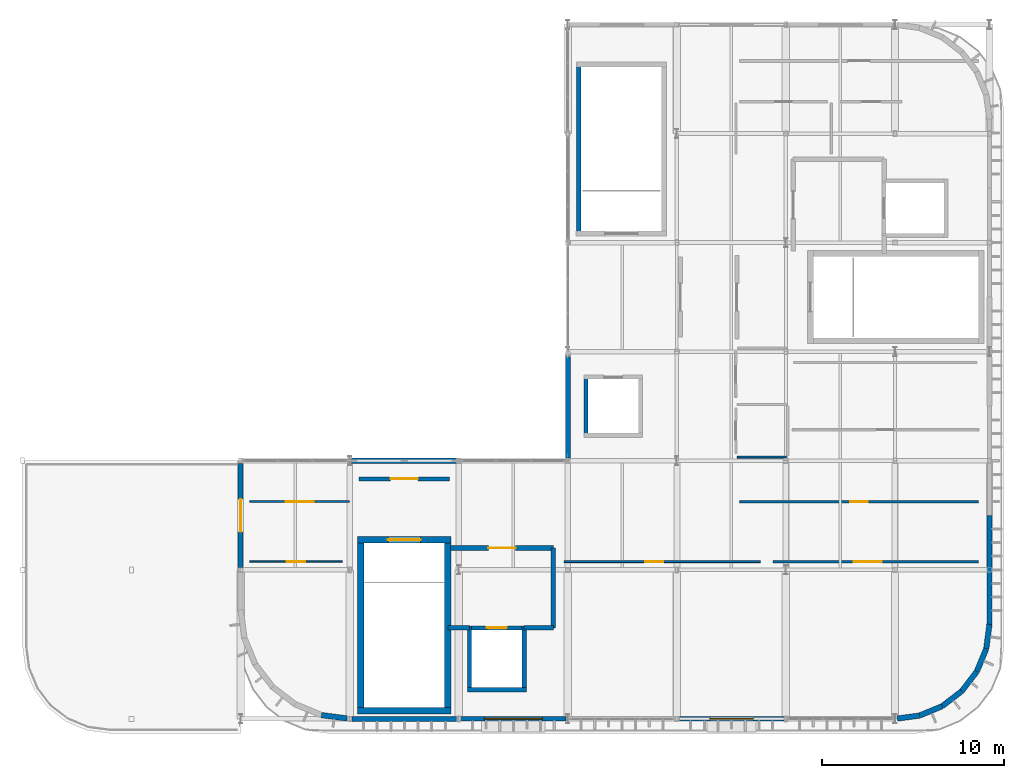
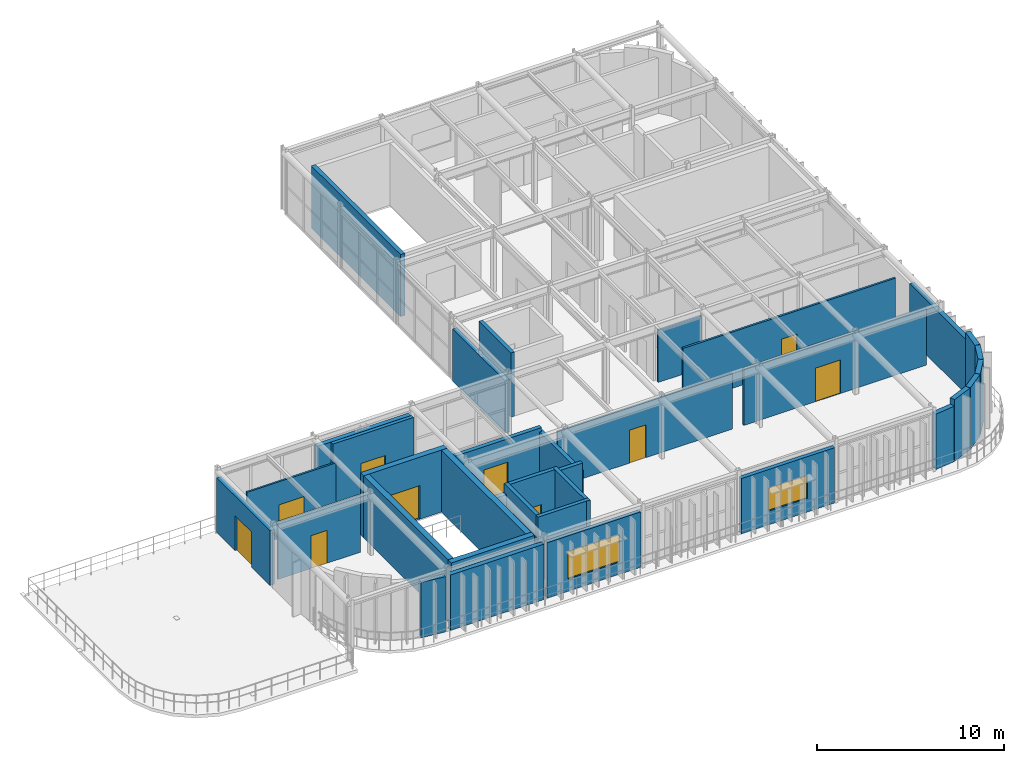
# One storey, part 8 of 14: 35 walls, 10 doors, 2 windows, 12 openings.
"""IFC4 building model written with IfcOpenShell, lengths in metres."""

from ifc_helpers import new_model, si_unit, direction, frame, frame_2d, origin, place, context, subcontext, project, spatial, rectangle, extrude, material, layer, layer_set, type_object, element, fill, save


model = new_model("IFC4")

# Units and contexts
model_context = context("Model", 3, precision=1e-05, world=origin(), true_north=direction((0.0, 1.0)))
body_context = subcontext(model_context, "Body", "Model", "MODEL_VIEW")
ifc_project = project(units=[si_unit("LENGTHUNIT", "METRE"), si_unit("AREAUNIT", "SQUARE_METRE"), si_unit("VOLUMEUNIT", "CUBIC_METRE"), si_unit("PLANEANGLEUNIT", "RADIAN"), si_unit("MASSUNIT", "GRAM", prefix="KILO")], contexts=[model_context])

# Site, building, storey
site_placement = place(None, origin())
site = spatial("IfcSite", under=ifc_project, at=site_placement, CompositionType="ELEMENT")
building_placement = place(site_placement, origin())
building = spatial("IfcBuilding", under=site, at=building_placement, Name="Varnakota Square Police Headquarters", CompositionType="ELEMENT")
storey_placement = place(building_placement, frame((0.0, 0.0, 30.0)))
storey = spatial("IfcBuildingStorey", under=building, at=storey_placement, Name="L07", CompositionType="ELEMENT", Elevation=30.0)

# Walls
ifc_material_1 = material(Name="Concrete M40", Category="concrete")
ifc_layer_1 = layer(ifc_material_1, 0.22998046875, Name="Concrete M40")
ifc_layer_set_1 = layer_set([ifc_layer_1], Name="Concrete M40")
wall_type_1 = type_object("IfcWallType", Name="WL-CORE-230", PredefinedType="SHEAR", material=ifc_layer_set_1)
wall_1_placement = place(storey_placement, frame((132.485107421875, 2.39990234375, 0.0), z_axis=(0.0, 0.0, 1.0), x_axis=(1.0, 0.0, 0.0)))
element("IfcWall", 1, at=wall_1_placement, inside=storey, type_object=wall_type_1, Name="Lift shaft wall LF-FF1 L07 S", PredefinedType="SHEAR", context=body_context, shape_type="SweptSolid", body=[
    extrude(rectangle(XDim=3.22998046875, YDim=0.22998046875, at=frame_2d((1.614990234375, 0.0))), origin(), (0.0, 0.0, 1.0), 4.199951171875),
])
wall_2_placement = place(storey_placement, frame((135.60009765625, 2.284912109375, 0.0), z_axis=(0.0, 0.0, 1.0), x_axis=(0.0, 1.0, 0.0)))
element("IfcWall", 2, at=wall_2_placement, inside=storey, type_object=wall_type_1, Name="Lift shaft wall LF-FF1 L07 E", PredefinedType="SHEAR", context=body_context, shape_type="SweptSolid", body=[
    extrude(rectangle(XDim=3.630126953125, YDim=0.22998046875, at=frame_2d((1.81494140625, 0.0))), origin(), (0.0, 0.0, 1.0), 4.199951171875),
])

# Wall, opening, door
wall_3_placement = place(storey_placement, frame((135.715087890625, 5.800048828125, 0.0), z_axis=(0.0, 0.0, 1.0), x_axis=(-1.0, 0.0, 0.0)))
wall_3 = element("IfcWall", 3, at=wall_3_placement, inside=storey, type_object=wall_type_1, Name="Lift shaft wall LF-FF1 L07 N", PredefinedType="SHEAR", context=body_context, shape_type="SweptSolid", body=[
    extrude(rectangle(XDim=3.22998046875, YDim=0.22998046875, at=frame_2d((1.614990234375, 0.0))), origin(), (0.0, 0.0, 1.0), 4.199951171875),
])
opening_1_placement = place(wall_3_placement, frame((1.06494140625, 0.0, 0.0)))
opening_1 = element("IfcOpeningElement", 4, at=opening_1_placement, cuts=wall_3, Name="Opening LD008", PredefinedType="OPENING", context=body_context, shape_type="SweptSolid", body=[
    extrude(rectangle(XDim=1.10009765625, YDim=2.199951171875, at=frame_2d((0.550048828125, 1.10009765625))), frame((0.0, 0.125, 0.0), z_axis=(0.0, -1.0, 0.0), x_axis=(1.0, 0.0, 0.0)), (0.0, 0.0, 1.0), 0.25),
])
ifc_material_2 = material(Name="Brushed Grade 316 Stainless Steel", Category="steel")
door_type_1 = type_object("IfcDoorType", Name="DR-LD-FF", OperationType="NOTDEFINED", PredefinedType="DOOR", material=ifc_material_2)
door_1_placement = place(opening_1_placement, origin())
door_1 = element("IfcDoor", 5, at=door_1_placement, inside=storey, type_object=door_type_1, Name="Lift sliding landing door LD008", OperationType="SLIDING_TO_LEFT", OverallHeight=2.199951171875, OverallWidth=1.10009765625, PredefinedType="DOOR", context=body_context, shape_type="SweptSolid", body=[
    extrude(rectangle(XDim=1.10009765625, YDim=2.199951171875, at=frame_2d((0.550048828125, 1.10009765625))), frame((0.0, 0.02490234375, 0.0), z_axis=(0.0, -1.0, 0.0), x_axis=(1.0, 0.0, 0.0)), (0.0, 0.0, 1.0), 0.050048828125),
])
fill(opening_1, door_1)

# Walls
wall_4_placement = place(storey_placement, frame((132.60009765625, 5.9150390625, 0.0), z_axis=(0.0, 0.0, 1.0), x_axis=(0.0, -1.0, 0.0)))
element("IfcWall", 6, at=wall_4_placement, inside=storey, type_object=wall_type_1, Name="Lift shaft wall LF-FF1 L07 W", PredefinedType="SHEAR", context=body_context, shape_type="SweptSolid", body=[
    extrude(rectangle(XDim=3.630126953125, YDim=0.22998046875, at=frame_2d((1.81494140625, 0.0))), origin(), (0.0, 0.0, 1.0), 4.199951171875),
])
wall_5_placement = place(storey_placement, frame((139.0, 19.715087890625, 0.0), z_axis=(0.0, 0.0, 1.0), x_axis=(0.0, -1.0, 0.0)))
element("IfcWall", 7, at=wall_5_placement, inside=storey, type_object=wall_type_1, Name="Lift shaft wall LF-P1 L07 W", PredefinedType="SHEAR", context=body_context, shape_type="SweptSolid", body=[
    extrude(rectangle(XDim=3.43017578125, YDim=0.22998046875, at=frame_2d((1.715087890625, 0.0))), origin(), (0.0, 0.0, 1.0), 4.199951171875),
])
ifc_material_3 = material(Name="Concrete M50", Category="concrete")
ifc_layer_2 = layer(ifc_material_3, 0.27001953125, Name="Concrete M50")
ifc_layer_set_2 = layer_set([ifc_layer_2], Name="Concrete M50")
wall_type_2 = type_object("IfcWallType", Name="WL-CORE-270", PredefinedType="SHEAR", material=ifc_layer_set_2)
wall_6_placement = place(storey_placement, frame((138.60009765625, 36.93505859375, 0.0), z_axis=(0.0, 0.0, 1.0), x_axis=(0.0, -1.0, 0.0)))
element("IfcWall", 8, at=wall_6_placement, inside=storey, type_object=wall_type_2, Name="Core C3 shear wall L07 W", PredefinedType="SHEAR", context=body_context, shape_type="SweptSolid", body=[
    extrude(rectangle(XDim=9.570068359375, YDim=0.27001953125, at=frame_2d((4.78515625, 0.0))), origin(), (0.0, 0.0, 1.0), 4.06005859375),
])
ifc_layer_3 = layer(ifc_material_3, 0.35009765625, Name="Concrete M50")
ifc_layer_set_3 = layer_set([ifc_layer_3], Name="Concrete M50")
wall_type_3 = type_object("IfcWallType", Name="WL-CORE-350", PredefinedType="SHEAR", material=ifc_layer_set_3)
wall_7_placement = place(storey_placement, frame((126.425048828125, 1.25, 0.0), z_axis=(0.0, 0.0, 1.0), x_axis=(1.0, 0.0, 0.0)))
element("IfcWall", 9, at=wall_7_placement, inside=storey, type_object=wall_type_3, Name="Core C1 shear wall L07 S", PredefinedType="SHEAR", context=body_context, shape_type="SweptSolid", body=[
    extrude(rectangle(XDim=5.14990234375, YDim=0.35009765625, at=frame_2d((2.574951171875, 0.0))), origin(), (0.0, 0.0, 1.0), 4.06005859375),
])
wall_8_placement = place(storey_placement, frame((131.39990234375, 1.074951171875, 0.0), z_axis=(0.0, 0.0, 1.0), x_axis=(0.0, 1.0, 0.0)))
element("IfcWall", 10, at=wall_8_placement, inside=storey, type_object=wall_type_3, Name="Core C1 shear wall L07 E", PredefinedType="SHEAR", context=body_context, shape_type="SweptSolid", body=[
    extrude(rectangle(XDim=9.75, YDim=0.35009765625, at=frame_2d((4.875, 0.0))), origin(), (0.0, 0.0, 1.0), 4.06005859375),
])

# Wall, opening, door
wall_9_placement = place(storey_placement, frame((131.574951171875, 10.64990234375, 0.0), z_axis=(0.0, 0.0, 1.0), x_axis=(-1.0, 0.0, 0.0)))
wall_9 = element("IfcWall", 11, at=wall_9_placement, inside=storey, type_object=wall_type_3, Name="Core C1 shear wall L07 N", PredefinedType="SHEAR", context=body_context, shape_type="SweptSolid", body=[
    extrude(rectangle(XDim=5.14990234375, YDim=0.35009765625, at=frame_2d((2.574951171875, 0.0))), origin(), (0.0, 0.0, 1.0), 4.06005859375),
])
opening_2_placement = place(wall_9_placement, frame((1.675048828125, 0.0, 0.0)))
opening_2 = element("IfcOpeningElement", 12, at=opening_2_placement, cuts=wall_9, Name="Opening SD008", PredefinedType="OPENING", context=body_context, shape_type="SweptSolid", body=[
    extrude(rectangle(XDim=1.800048828125, YDim=2.199951171875, at=frame_2d((0.89990234375, 1.10009765625))), frame((0.0, 0.18505859375, 0.0), z_axis=(0.0, -1.0, 0.0), x_axis=(1.0, 0.0, 0.0)), (0.0, 0.0, 1.0), 0.3701171875),
])
ifc_material_4 = material(Name="Powder-Coated Galvanised Steel", Category="steel")
door_type_2 = type_object("IfcDoorType", Name="DR-ST-180", OperationType="NOTDEFINED", PredefinedType="DOOR", material=ifc_material_4)
door_2_placement = place(opening_2_placement, origin())
door_2 = element("IfcDoor", 13, at=door_2_placement, inside=storey, type_object=door_type_2, Name="Protected stair door SD008", OperationType="DOUBLE_DOOR_SINGLE_SWING", OverallHeight=2.199951171875, OverallWidth=1.800048828125, PredefinedType="DOOR", context=body_context, shape_type="SweptSolid", body=[
    extrude(rectangle(XDim=1.800048828125, YDim=2.199951171875, at=frame_2d((0.89990234375, 1.10009765625))), frame((0.0, 0.02490234375, 0.0), z_axis=(0.0, -1.0, 0.0), x_axis=(1.0, 0.0, 0.0)), (0.0, 0.0, 1.0), 0.050048828125),
])
fill(opening_2, door_2)

# Wall
wall_10_placement = place(storey_placement, frame((126.60009765625, 10.824951171875, 0.0), z_axis=(0.0, 0.0, 1.0), x_axis=(0.0, -1.0, 0.0)))
element("IfcWall", 14, at=wall_10_placement, inside=storey, type_object=wall_type_3, Name="Core C1 shear wall L07 W", PredefinedType="SHEAR", context=body_context, shape_type="SweptSolid", body=[
    extrude(rectangle(XDim=9.75, YDim=0.35009765625, at=frame_2d((4.875, 0.0))), origin(), (0.0, 0.0, 1.0), 4.06005859375),
])

# Wall, opening, window
ifc_layer_4 = layer(ifc_material_1, 0.239990234375, Name="Concrete M40")
ifc_layer_set_4 = layer_set([ifc_layer_4], Name="Concrete M40")
wall_type_4 = type_object("IfcWallType", Name="WL-EXT-240", PredefinedType="SOLIDWALL", material=ifc_layer_set_4)
wall_11_placement = place(storey_placement, frame((132.10400390625, 0.800048828125, 0.0), z_axis=(0.0, 0.0, 1.0), x_axis=(1.0, 0.0, 0.0)))
wall_11 = element("IfcWall", 15, at=wall_11_placement, inside=storey, type_object=wall_type_4, Name="Exterior wall EW-L07-0351", PredefinedType="SOLIDWALL", context=body_context, shape_type="SweptSolid", body=[
    extrude(rectangle(XDim=5.802001953125, YDim=0.239990234375, at=frame_2d((2.90087890625, 0.0))), origin(), (0.0, 0.0, 1.0), 3.62353515625),
])
opening_3_placement = place(wall_11_placement, frame((1.301025390625, 0.0, 0.800048828125)))
opening_3 = element("IfcOpeningElement", 16, at=opening_3_placement, cuts=wall_11, Name="Opening W15", PredefinedType="OPENING", context=body_context, shape_type="SweptSolid", body=[
    extrude(rectangle(XDim=3.199951171875, YDim=1.800048828125, at=frame_2d((1.60009765625, 0.89990234375))), frame((0.0, 0.1298828125, 0.0), z_axis=(0.0, -1.0, 0.0), x_axis=(1.0, 0.0, 0.0)), (0.0, 0.0, 1.0), 0.260009765625),
])
ifc_material_5 = material(Name="Thermally Broken Aluminium Double-Glazed Window", Category="aluminium")
window_type_1 = type_object("IfcWindowType", Name="WIN-15", PartitioningType="SINGLE_PANEL", PredefinedType="WINDOW", material=ifc_material_5)
window_1_placement = place(opening_3_placement, origin())
window_1 = element("IfcWindow", 17, at=window_1_placement, inside=storey, type_object=window_type_1, Name="Window WN-L07-0060", OverallHeight=1.800048828125, OverallWidth=3.199951171875, PartitioningType="SINGLE_PANEL", PredefinedType="WINDOW", context=body_context, shape_type="SweptSolid", body=[
    extrude(rectangle(XDim=3.199951171875, YDim=1.800048828125, at=frame_2d((1.60009765625, 0.89990234375))), frame((0.0, 0.030029296875, 0.0), z_axis=(0.0, -1.0, 0.0), x_axis=(1.0, 0.0, 0.0)), (0.0, 0.0, 1.0), 0.06005859375),
])
fill(opening_3, window_1)

wall_12_placement = place(storey_placement, frame((144.12890625, 0.800048828125, 0.0), z_axis=(0.0, 0.0, 1.0), x_axis=(1.0, 0.0, 0.0)))
wall_12 = element("IfcWall", 18, at=wall_12_placement, inside=storey, type_object=wall_type_4, Name="Exterior wall EW-L07-0352", PredefinedType="SOLIDWALL", context=body_context, shape_type="SweptSolid", body=[
    extrude(rectangle(XDim=5.76708984375, YDim=0.239990234375, at=frame_2d((2.883544921875, 0.0))), origin(), (0.0, 0.0, 1.0), 3.62353515625),
])
opening_4_placement = place(wall_12_placement, frame((1.68359375, 0.0, 0.89990234375)))
opening_4 = element("IfcOpeningElement", 19, at=opening_4_placement, cuts=wall_12, Name="Opening W02", PredefinedType="OPENING", context=body_context, shape_type="SweptSolid", body=[
    extrude(rectangle(XDim=2.39990234375, YDim=1.5, at=frame_2d((1.199951171875, 0.75))), frame((0.0, 0.1298828125, 0.0), z_axis=(0.0, -1.0, 0.0), x_axis=(1.0, 0.0, 0.0)), (0.0, 0.0, 1.0), 0.260009765625),
])
window_type_2 = type_object("IfcWindowType", Name="WIN-02", PartitioningType="SINGLE_PANEL", PredefinedType="WINDOW", material=ifc_material_5)
window_2_placement = place(opening_4_placement, origin())
window_2 = element("IfcWindow", 20, at=window_2_placement, inside=storey, type_object=window_type_2, Name="Window WN-L07-0061", OverallHeight=1.5, OverallWidth=2.39990234375, PartitioningType="SINGLE_PANEL", PredefinedType="WINDOW", context=body_context, shape_type="SweptSolid", body=[
    extrude(rectangle(XDim=2.39990234375, YDim=1.5, at=frame_2d((1.199951171875, 0.75))), frame((0.0, 0.030029296875, 0.0), z_axis=(0.0, -1.0, 0.0), x_axis=(1.0, 0.0, 0.0)), (0.0, 0.0, 1.0), 0.06005859375),
])
fill(opening_4, window_2)

# Walls
ifc_layer_5 = layer(ifc_material_1, 0.280029296875, Name="Concrete M40")
ifc_layer_set_5 = layer_set([ifc_layer_5], Name="Concrete M40")
wall_type_5 = type_object("IfcWallType", Name="WL-EXT-280", PredefinedType="SOLIDWALL", material=ifc_layer_set_5)
wall_13_placement = place(storey_placement, frame((126.12890625, 0.800048828125, 0.0), z_axis=(0.0, 0.0, 1.0), x_axis=(1.0, 0.0, 0.0)))
element("IfcWall", 21, at=wall_13_placement, inside=storey, type_object=wall_type_5, Name="Exterior wall EW-L07-0350", PredefinedType="SOLIDWALL", context=body_context, shape_type="SweptSolid", body=[
    extrude(rectangle(XDim=5.76708984375, YDim=0.280029296875, at=frame_2d((2.883544921875, 0.0))), origin(), (0.0, 0.0, 1.0), 3.62353515625),
])
wall_14_placement = place(storey_placement, frame((161.199951171875, 6.0, 0.0), z_axis=(0.0, 0.0, 1.0), x_axis=(0.0, 1.0, 0.0)))
element("IfcWall", 22, at=wall_14_placement, inside=storey, type_object=wall_type_5, Name="Exterior wall EW-L07-0353", PredefinedType="SOLIDWALL", context=body_context, shape_type="SweptSolid", body=[
    extrude(rectangle(XDim=6.0, YDim=0.280029296875, at=frame_2d((3.0, 0.0))), origin(), (0.0, 0.0, 1.0), 3.580078125),
])
wall_15_placement = place(storey_placement, frame((126.093994140625, 15.0, 0.0), z_axis=(0.0, 0.0, 1.0), x_axis=(1.0, 0.0, 0.0)))
element("IfcWall", 23, at=wall_15_placement, inside=storey, type_object=wall_type_5, Name="Exterior wall EW-L07-0358", PredefinedType="SOLIDWALL", context=body_context, shape_type="SweptSolid", body=[
    extrude(rectangle(XDim=5.777099609375, YDim=0.280029296875, at=frame_2d((2.888671875, 0.0))), origin(), (0.0, 0.0, 1.0), 3.429931640625),
])
wall_16_placement = place(storey_placement, frame((138.0, 15.154052734375, 0.0), z_axis=(0.0, 0.0, 1.0), x_axis=(0.0, 1.0, 0.0)))
element("IfcWall", 24, at=wall_16_placement, inside=storey, type_object=wall_type_5, Name="Exterior wall EW-L07-0359", PredefinedType="SOLIDWALL", context=body_context, shape_type="SweptSolid", body=[
    extrude(rectangle(XDim=5.592041015625, YDim=0.280029296875, at=frame_2d((2.7958984375, 0.0))), origin(), (0.0, 0.0, 1.0), 3.429931640625),
])

# Wall, opening, door
wall_17_placement = place(storey_placement, frame((120.0, 9.12890625, 0.0), z_axis=(0.0, 0.0, 1.0), x_axis=(0.0, 1.0, 0.0)))
wall_17 = element("IfcWall", 25, at=wall_17_placement, inside=storey, type_object=wall_type_5, Name="Exterior wall EW-L07-0361", PredefinedType="SOLIDWALL", context=body_context, shape_type="SweptSolid", body=[
    extrude(rectangle(XDim=5.717041015625, YDim=0.280029296875, at=frame_2d((2.8583984375, 0.0))), origin(), (0.0, 0.0, 1.0), 3.580078125),
])
opening_5_placement = place(wall_17_placement, frame((1.95849609375, 0.0, 0.0)))
opening_5 = element("IfcOpeningElement", 26, at=opening_5_placement, cuts=wall_17, Name="Opening TD03", PredefinedType="OPENING", context=body_context, shape_type="SweptSolid", body=[
    extrude(rectangle(XDim=1.800048828125, YDim=2.300048828125, at=frame_2d((0.89990234375, 1.14990234375))), frame((0.0, 0.14990234375, 0.0), z_axis=(0.0, -1.0, 0.0), x_axis=(1.0, 0.0, 0.0)), (0.0, 0.0, 1.0), 0.300048828125),
])
ifc_material_6 = material(Name="Thermally Broken Glazed Terrace Door", Category="steel")
door_type_3 = type_object("IfcDoorType", Name="DR-EXT-TERR180", OperationType="NOTDEFINED", PredefinedType="DOOR", material=ifc_material_6)
door_3_placement = place(opening_5_placement, origin())
door_3 = element("IfcDoor", 27, at=door_3_placement, inside=storey, type_object=door_type_3, Name="Exterior door TD03", OperationType="DOUBLE_DOOR_SINGLE_SWING", OverallHeight=2.300048828125, OverallWidth=1.800048828125, PredefinedType="DOOR", context=body_context, shape_type="SweptSolid", body=[
    extrude(rectangle(XDim=1.800048828125, YDim=2.300048828125, at=frame_2d((0.89990234375, 1.14990234375))), frame((0.0, 0.02490234375, 0.0), z_axis=(0.0, -1.0, 0.0), x_axis=(1.0, 0.0, 0.0)), (0.0, 0.0, 1.0), 0.050048828125),
])
fill(opening_5, door_3)

# Walls
ifc_material_7 = material(Name="Precast concrete M40", Category="concrete")
ifc_layer_6 = layer(ifc_material_7, 0.300048828125, Name="Precast concrete M40")
ifc_layer_set_6 = layer_set([ifc_layer_6], Name="Precast concrete M40")
wall_type_6 = type_object("IfcWallType", Name="WL-EXT-300", PredefinedType="SOLIDWALL", material=ifc_layer_set_6)
wall_18_placement = place(storey_placement, frame((124.447021484375, 1.00439453125, 0.0), z_axis=(0.0, 0.0, 1.0), x_axis=(0.99145137358, -0.130476717562, 0.0)))
element("IfcWall", 28, at=wall_18_placement, inside=storey, type_object=wall_type_6, Name="Exterior wall EW-L07-0370", PredefinedType="SOLIDWALL", context=body_context, shape_type="SweptSolid", body=[
    extrude(rectangle(XDim=1.422119140625, YDim=0.300048828125, at=frame_2d((0.7109375, 0.0))), origin(), (0.0, 0.0, 1.0), 3.62353515625),
])
wall_19_placement = place(storey_placement, frame((156.124755859375, 0.81640625, 0.0), z_axis=(0.0, 0.0, 1.0), x_axis=(0.991432693702, 0.130618581597, 0.0)))
element("IfcWall", 29, at=wall_19_placement, inside=storey, type_object=wall_type_6, Name="Exterior wall EW-L07-0371", PredefinedType="SOLIDWALL", context=body_context, shape_type="SweptSolid", body=[
    extrude(rectangle(XDim=1.231689453125, YDim=0.300048828125, at=frame_2d((0.61572265625, 0.0))), origin(), (0.0, 0.0, 1.0), 3.62353515625),
])
for number, where, z_axis, x_axis, name in (
    (30, (157.345947265625, 0.977294921875, 0.0), (0.0, 0.0, 1.0), (0.923931353894, 0.382558300513, 0.0), "Exterior wall EW-L07-0372"),
    (31, (158.60009765625, 1.49658203125, 0.0), (0.0, 0.0, 1.0), (0.793325486746, 0.608797726736, 0.0), "Exterior wall EW-L07-0373"),
    (32, (159.677001953125, 2.322998046875, 0.0), (0.0, 0.0, 1.0), (0.608797726736, 0.793325486746, 0.0), "Exterior wall EW-L07-0374"),
    (33, (160.50341796875, 3.39990234375, 0.0), (0.0, 0.0, 1.0), (0.382558300513, 0.923931353894, 0.0), "Exterior wall EW-L07-0375"),
):
    element("IfcWall", number, at=place(storey_placement, frame(where, z_axis=z_axis, x_axis=x_axis)), inside=storey, type_object=wall_type_6, Name=name, PredefinedType="SOLIDWALL", context=body_context, shape_type="SweptSolid", body=[
        extrude(rectangle(XDim=1.357421875, YDim=0.300048828125, at=frame_2d((0.6787109375, 0.0))), origin(), (0.0, 0.0, 1.0), 4.034912109375),
    ])
wall_20_placement = place(storey_placement, frame((161.022705078125, 4.654052734375, 0.0), z_axis=(0.0, 0.0, 1.0), x_axis=(0.130561507967, 0.991440211328, 0.0)))
element("IfcWall", 34, at=wall_20_placement, inside=storey, type_object=wall_type_6, Name="Exterior wall EW-L07-0376", PredefinedType="SOLIDWALL", context=body_context, shape_type="SweptSolid", body=[
    extrude(rectangle(XDim=1.357666015625, YDim=0.300048828125, at=frame_2d((0.6787109375, 0.0))), origin(), (0.0, 0.0, 1.0), 4.034912109375),
])

# Wall, opening, door
ifc_material_8 = material(Name="Lightweight Demountable Office Partition", Category="gypsum")
ifc_layer_7 = layer(ifc_material_8, 0.094970703125, Name="Lightweight Demountable Office Partition")
ifc_layer_set_7 = layer_set([ifc_layer_7], Name="Lightweight Demountable Office Partition")
wall_type_7 = type_object("IfcWallType", Name="WL-PRT-095", PredefinedType="PARTITIONING", material=ifc_layer_set_7)
wall_21_placement = place(storey_placement, frame((120.5, 9.449951171875, 0.0), z_axis=(0.0, 0.0, 1.0), x_axis=(1.0, 0.0, 0.0)))
wall_21 = element("IfcWall", 35, at=wall_21_placement, inside=storey, type_object=wall_type_7, Name="Interior partition PW-L07-0268 (Deputy Commissioner Suite West)", PredefinedType="PARTITIONING", context=body_context, shape_type="SweptSolid", body=[
    extrude(rectangle(XDim=5.10009765625, YDim=0.094970703125, at=frame_2d((2.550048828125, 0.0))), origin(), (0.0, 0.0, 1.0), 3.72998046875),
])
opening_6_placement = place(wall_21_placement, frame((2.050048828125, 0.0, 0.0)))
opening_6 = element("IfcOpeningElement", 36, at=opening_6_placement, cuts=wall_21, Name="Opening D304", PredefinedType="OPENING", context=body_context, shape_type="SweptSolid", body=[
    extrude(rectangle(XDim=1.0, YDim=2.14990234375, at=frame_2d((0.5, 1.074951171875))), frame((0.0, 0.057373046875, 0.0), z_axis=(0.0, -1.0, 0.0), x_axis=(1.0, 0.0, 0.0)), (0.0, 0.0, 1.0), 0.114990234375),
])
ifc_material_9 = material(Name="Solid-Core Teak Veneer Hardwood", Category="wood")
door_type_4 = type_object("IfcDoorType", Name="DR-OFF-100", OperationType="NOTDEFINED", PredefinedType="DOOR", material=ifc_material_9)
door_4_placement = place(opening_6_placement, origin())
door_4 = element("IfcDoor", 37, at=door_4_placement, inside=storey, type_object=door_type_4, Name="Room door D304 (Deputy Commissioner Suite West)", OperationType="SINGLE_SWING_LEFT", OverallHeight=2.14990234375, OverallWidth=1.0, PredefinedType="DOOR", context=body_context, shape_type="SweptSolid", body=[
    extrude(rectangle(XDim=1.0, YDim=2.14990234375, at=frame_2d((0.5, 1.074951171875))), frame((0.0, 0.02490234375, 0.0), z_axis=(0.0, -1.0, 0.0), x_axis=(1.0, 0.0, 0.0)), (0.0, 0.0, 1.0), 0.050048828125),
])
fill(opening_6, door_4)

ifc_material_10 = material(Name="Glazed Clean-Lab Modular Partition", Category="gypsum")
ifc_layer_8 = layer(ifc_material_10, 0.10498046875, Name="Glazed Clean-Lab Modular Partition")
ifc_layer_set_8 = layer_set([ifc_layer_8], Name="Glazed Clean-Lab Modular Partition")
wall_type_8 = type_object("IfcWallType", Name="WL-PRT-105", PredefinedType="PARTITIONING", material=ifc_layer_set_8)
wall_22_placement = place(storey_placement, frame((137.800048828125, 9.449951171875, 0.0), z_axis=(0.0, 0.0, 1.0), x_axis=(1.0, 0.0, 0.0)))
wall_22 = element("IfcWall", 38, at=wall_22_placement, inside=storey, type_object=wall_type_8, Name="Interior partition PW-L07-0265 (Police Commissionerate Executive Suite)", PredefinedType="PARTITIONING", context=body_context, shape_type="SweptSolid", body=[
    extrude(rectangle(XDim=10.800048828125, YDim=0.10498046875, at=frame_2d((5.39990234375, 0.0))), origin(), (0.0, 0.0, 1.0), 3.6298828125),
])
opening_7_placement = place(wall_22_placement, frame((4.449951171875, 0.0, 0.0)))
opening_7 = element("IfcOpeningElement", 39, at=opening_7_placement, cuts=wall_22, Name="Opening D301", PredefinedType="OPENING", context=body_context, shape_type="SweptSolid", body=[
    extrude(rectangle(XDim=1.0, YDim=2.14990234375, at=frame_2d((0.5, 1.074951171875))), frame((0.0, 0.0625, 0.0), z_axis=(0.0, -1.0, 0.0), x_axis=(1.0, 0.0, 0.0)), (0.0, 0.0, 1.0), 0.125),
])
door_5_placement = place(opening_7_placement, origin())
door_5 = element("IfcDoor", 40, at=door_5_placement, inside=storey, type_object=door_type_4, Name="Room door D301 (Police Commissionerate Executive Suite)", OperationType="SINGLE_SWING_RIGHT", OverallHeight=2.14990234375, OverallWidth=1.0, PredefinedType="DOOR", context=body_context, shape_type="SweptSolid", body=[
    extrude(rectangle(XDim=1.0, YDim=2.14990234375, at=frame_2d((0.5, 1.074951171875))), frame((0.0, 0.02490234375, 0.0), z_axis=(0.0, -1.0, 0.0), x_axis=(1.0, 0.0, 0.0)), (0.0, 0.0, 1.0), 0.050048828125),
])
fill(opening_7, door_5)

# Wall
wall_23_placement = place(storey_placement, frame((150.02001953125, 15.199951171875, 0.0), z_axis=(0.0, 0.0, 1.0), x_axis=(-1.0, 0.0, 0.0)))
element("IfcWall", 41, at=wall_23_placement, inside=storey, type_object=wall_type_8, Name="Interior dividing partition PW-L07-0274 (L07 Accessible WC East)", PredefinedType="PARTITIONING", context=body_context, shape_type="SweptSolid", body=[
    extrude(rectangle(XDim=2.68994140625, YDim=0.10498046875, at=frame_2d((1.344970703125, 0.0))), origin(), (0.0, 0.0, 1.0), 3.429931640625),
])

# Wall, opening, door
ifc_material_11 = material(Name="Moisture-Resistant Tile-Backed Partition", Category="gypsum")
ifc_layer_9 = layer(ifc_material_11, 0.114990234375, Name="Moisture-Resistant Tile-Backed Partition")
ifc_layer_set_9 = layer_set([ifc_layer_9], Name="Moisture-Resistant Tile-Backed Partition")
wall_type_9 = type_object("IfcWallType", Name="WL-PRT-115", PredefinedType="PARTITIONING", material=ifc_layer_set_9)
wall_24_placement = place(storey_placement, frame((126.0, 12.75, 0.0), z_axis=(0.0, 0.0, 1.0), x_axis=(-1.0, 0.0, 0.0)))
wall_24 = element("IfcWall", 42, at=wall_24_placement, inside=storey, type_object=wall_type_9, Name="Interior partition PW-L07-0267 (Command Conference Boardroom)", PredefinedType="PARTITIONING", context=body_context, shape_type="SweptSolid", body=[
    extrude(rectangle(XDim=5.5, YDim=0.114990234375, at=frame_2d((2.75, 0.0))), origin(), (0.0, 0.0, 1.0), 3.7060546875),
])
opening_8_placement = place(wall_24_placement, frame((1.97509765625, 0.0, 0.0)))
opening_8 = element("IfcOpeningElement", 43, at=opening_8_placement, cuts=wall_24, Name="Opening D303", PredefinedType="OPENING", context=body_context, shape_type="SweptSolid", body=[
    extrude(rectangle(XDim=1.550048828125, YDim=2.199951171875, at=frame_2d((0.77490234375, 1.10009765625))), frame((0.0, 0.0673828125, 0.0), z_axis=(0.0, -1.0, 0.0), x_axis=(1.0, 0.0, 0.0)), (0.0, 0.0, 1.0), 0.135009765625),
])
ifc_material_12 = material(Name="Solid-Core Acoustic Oak Veneer Timber", Category="wood")
door_type_5 = type_object("IfcDoorType", Name="DR-BRF-155", OperationType="NOTDEFINED", PredefinedType="DOOR", material=ifc_material_12)
door_6_placement = place(opening_8_placement, origin())
door_6 = element("IfcDoor", 44, at=door_6_placement, inside=storey, type_object=door_type_5, Name="Room door D303 (Command Conference Boardroom)", OperationType="DOUBLE_DOOR_SINGLE_SWING", OverallHeight=2.199951171875, OverallWidth=1.550048828125, PredefinedType="DOOR", context=body_context, shape_type="SweptSolid", body=[
    extrude(rectangle(XDim=1.550048828125, YDim=2.199951171875, at=frame_2d((0.77490234375, 1.10009765625))), frame((0.0, 0.02490234375, 0.0), z_axis=(0.0, -1.0, 0.0), x_axis=(1.0, 0.0, 0.0)), (0.0, 0.0, 1.0), 0.050048828125),
])
fill(opening_8, door_6)

ifc_material_13 = material(Name="Acoustic Insulated Metal-Stud Partition", Category="gypsum")
ifc_layer_10 = layer(ifc_material_13, 0.125, Name="Acoustic Insulated Metal-Stud Partition")
ifc_layer_set_10 = layer_set([ifc_layer_10], Name="Acoustic Insulated Metal-Stud Partition")
wall_type_10 = type_object("IfcWallType", Name="WL-PRT-125", PredefinedType="PARTITIONING", material=ifc_layer_set_10)
wall_25_placement = place(storey_placement, frame((160.60009765625, 12.75, 0.0), z_axis=(0.0, 0.0, 1.0), x_axis=(-1.0, 0.0, 0.0)))
wall_25 = element("IfcWall", 45, at=wall_25_placement, inside=storey, type_object=wall_type_10, Name="Interior partition PW-L07-0269 (Legal Advisory and Policy Office)", PredefinedType="PARTITIONING", context=body_context, shape_type="SweptSolid", body=[
    extrude(rectangle(XDim=13.150146484375, YDim=0.125, at=frame_2d((6.5751953125, 0.0))), origin(), (0.0, 0.0, 1.0), 3.679931640625),
])
opening_9_placement = place(wall_25_placement, frame((6.10009765625, 0.0, 0.0)))
opening_9 = element("IfcOpeningElement", 46, at=opening_9_placement, cuts=wall_25, Name="Opening D305", PredefinedType="OPENING", context=body_context, shape_type="SweptSolid", body=[
    extrude(rectangle(XDim=0.949951171875, YDim=2.14990234375, at=frame_2d((0.47509765625, 1.074951171875))), frame((0.0, 0.072509765625, 0.0), z_axis=(0.0, -1.0, 0.0), x_axis=(1.0, 0.0, 0.0)), (0.0, 0.0, 1.0), 0.14501953125),
])
door_type_6 = type_object("IfcDoorType", Name="DR-OFF-095", OperationType="NOTDEFINED", PredefinedType="DOOR", material=ifc_material_9)
door_7_placement = place(opening_9_placement, origin())
door_7 = element("IfcDoor", 47, at=door_7_placement, inside=storey, type_object=door_type_6, Name="Room door D305 (Legal Advisory and Policy Office)", OperationType="SINGLE_SWING_RIGHT", OverallHeight=2.14990234375, OverallWidth=0.949951171875, PredefinedType="DOOR", context=body_context, shape_type="SweptSolid", body=[
    extrude(rectangle(XDim=0.949951171875, YDim=2.14990234375, at=frame_2d((0.47509765625, 1.074951171875))), frame((0.0, 0.02490234375, 0.0), z_axis=(0.0, -1.0, 0.0), x_axis=(1.0, 0.0, 0.0)), (0.0, 0.0, 1.0), 0.050048828125),
])
fill(opening_9, door_7)

ifc_layer_11 = layer(ifc_material_13, 0.139892578125, Name="Acoustic Insulated Metal-Stud Partition")
ifc_layer_set_11 = layer_set([ifc_layer_11], Name="Acoustic Insulated Metal-Stud Partition")
wall_type_11 = type_object("IfcWallType", Name="WL-PRT-140", PredefinedType="PARTITIONING", material=ifc_layer_set_11)
wall_26_placement = place(storey_placement, frame((149.300048828125, 9.449951171875, 0.0), z_axis=(0.0, 0.0, 1.0), x_axis=(1.0, 0.0, 0.0)))
wall_26 = element("IfcWall", 48, at=wall_26_placement, inside=storey, type_object=wall_type_11, Name="Interior partition PW-L07-0266 (Executive Briefing Room)", PredefinedType="PARTITIONING", context=body_context, shape_type="SweptSolid", body=[
    extrude(rectangle(XDim=11.300048828125, YDim=0.139892578125, at=frame_2d((5.64990234375, 0.0))), origin(), (0.0, 0.0, 1.0), 3.679931640625),
])
opening_10_placement = place(wall_26_placement, frame((4.425048828125, 0.0, 0.0)))
opening_10 = element("IfcOpeningElement", 49, at=opening_10_placement, cuts=wall_26, Name="Opening D302", PredefinedType="OPENING", context=body_context, shape_type="SweptSolid", body=[
    extrude(rectangle(XDim=1.550048828125, YDim=2.199951171875, at=frame_2d((0.77490234375, 1.10009765625))), frame((0.0, 0.079833984375, 0.0), z_axis=(0.0, -1.0, 0.0), x_axis=(1.0, 0.0, 0.0)), (0.0, 0.0, 1.0), 0.159912109375),
])
door_8_placement = place(opening_10_placement, origin())
door_8 = element("IfcDoor", 50, at=door_8_placement, inside=storey, type_object=door_type_5, Name="Room door D302 (Executive Briefing Room)", OperationType="DOUBLE_DOOR_SINGLE_SWING", OverallHeight=2.199951171875, OverallWidth=1.550048828125, PredefinedType="DOOR", context=body_context, shape_type="SweptSolid", body=[
    extrude(rectangle(XDim=1.550048828125, YDim=2.199951171875, at=frame_2d((0.77490234375, 1.10009765625))), frame((0.0, 0.02490234375, 0.0), z_axis=(0.0, -1.0, 0.0), x_axis=(1.0, 0.0, 0.0)), (0.0, 0.0, 1.0), 0.050048828125),
])
fill(opening_10, door_8)

ifc_layer_12 = layer(ifc_material_1, 0.215087890625, Name="Concrete M40")
ifc_layer_set_12 = layer_set([ifc_layer_12], Name="Concrete M40")
wall_type_12 = type_object("IfcWallType", Name="WL-PRT-215F", PredefinedType="PARTITIONING", material=ifc_layer_set_12)
wall_27_placement = place(storey_placement, frame((126.5, 14.0, 0.0), z_axis=(0.0, 0.0, 1.0), x_axis=(1.0, 0.0, 0.0)))
wall_27 = element("IfcWall", 51, at=wall_27_placement, inside=storey, type_object=wall_type_12, Name="Core C1 lobby fire partition L07", PredefinedType="PARTITIONING", context=body_context, shape_type="SweptSolid", body=[
    extrude(rectangle(XDim=5.0, YDim=0.215087890625, at=frame_2d((2.5, 0.0))), origin(), (0.0, 0.0, 1.0), 4.030029296875),
])
opening_11_placement = place(wall_27_placement, frame((1.75, 0.0, 0.0)))
opening_11 = element("IfcOpeningElement", 52, at=opening_11_placement, cuts=wall_27, Name="Opening FD023", PredefinedType="OPENING", context=body_context, shape_type="SweptSolid", body=[
    extrude(rectangle(XDim=1.5, YDim=2.14990234375, at=frame_2d((0.75, 1.074951171875))), frame((0.0, 0.117431640625, 0.0), z_axis=(0.0, -1.0, 0.0), x_axis=(1.0, 0.0, 0.0)), (0.0, 0.0, 1.0), 0.235107421875),
])
ifc_material_14 = material(Name="Smoke-Sealed Galvanised Acoustic Steel", Category="steel")
door_type_7 = type_object("IfcDoorType", Name="DR-FFL-150", OperationType="NOTDEFINED", PredefinedType="DOOR", material=ifc_material_14)
door_9_placement = place(opening_11_placement, origin())
door_9 = element("IfcDoor", 53, at=door_9_placement, inside=storey, type_object=door_type_7, Name="Core lobby smoke door FD023", OperationType="DOUBLE_DOOR_SINGLE_SWING", OverallHeight=2.14990234375, OverallWidth=1.5, PredefinedType="DOOR", context=body_context, shape_type="SweptSolid", body=[
    extrude(rectangle(XDim=1.5, YDim=2.14990234375, at=frame_2d((0.75, 1.074951171875))), frame((0.0, 0.02490234375, 0.0), z_axis=(0.0, -1.0, 0.0), x_axis=(1.0, 0.0, 0.0)), (0.0, 0.0, 1.0), 0.050048828125),
])
fill(opening_11, door_9)

ifc_layer_13 = layer(ifc_material_1, 0.25, Name="Concrete M40")
ifc_layer_set_13 = layer_set([ifc_layer_13], Name="Concrete M40")
wall_type_13 = type_object("IfcWallType", Name="WL-PRT-250F", PredefinedType="PARTITIONING", material=ifc_layer_set_13)
wall_28_placement = place(storey_placement, frame((131.550048828125, 10.199951171875, 0.0), z_axis=(0.0, 0.0, 1.0), x_axis=(1.0, 0.0, 0.0)))
wall_28 = element("IfcWall", 54, at=wall_28_placement, inside=storey, type_object=wall_type_13, Name="Firefighting lobby enclosure C1 L07", PredefinedType="PARTITIONING", context=body_context, shape_type="SweptSolid", body=[
    extrude(rectangle(XDim=5.64990234375, YDim=0.25, at=frame_2d((2.824951171875, 0.0))), origin(), (0.0, 0.0, 1.0), 3.679931640625),
])
opening_12_placement = place(wall_28_placement, frame((2.074951171875, 0.0, 0.0)))
opening_12 = element("IfcOpeningElement", 55, at=opening_12_placement, cuts=wall_28, Name="Opening FD024", PredefinedType="OPENING", context=body_context, shape_type="SweptSolid", body=[
    extrude(rectangle(XDim=1.5, YDim=2.14990234375, at=frame_2d((0.75, 1.074951171875))), frame((0.0, 0.135009765625, 0.0), z_axis=(0.0, -1.0, 0.0), x_axis=(1.0, 0.0, 0.0)), (0.0, 0.0, 1.0), 0.27001953125),
])
door_10_placement = place(opening_12_placement, origin())
door_10 = element("IfcDoor", 56, at=door_10_placement, inside=storey, type_object=door_type_7, Name="Firefighting lobby fire door FD024", OperationType="DOUBLE_DOOR_SINGLE_SWING", OverallHeight=2.14990234375, OverallWidth=1.5, PredefinedType="DOOR", context=body_context, shape_type="SweptSolid", body=[
    extrude(rectangle(XDim=1.5, YDim=2.14990234375, at=frame_2d((0.75, 1.074951171875))), frame((0.0, 0.02490234375, 0.0), z_axis=(0.0, -1.0, 0.0), x_axis=(1.0, 0.0, 0.0)), (0.0, 0.0, 1.0), 0.050048828125),
])
fill(opening_12, door_10)

# Walls
wall_29_placement = place(storey_placement, frame((137.199951171875, 5.800048828125, 0.0), z_axis=(0.0, 0.0, 1.0), x_axis=(0.0, 1.0, 0.0)))
element("IfcWall", 57, at=wall_29_placement, inside=storey, type_object=wall_type_13, Name="Firefighting lobby return wall C1 L07 E", PredefinedType="PARTITIONING", context=body_context, shape_type="SweptSolid", body=[
    extrude(rectangle(XDim=4.39990234375, YDim=0.25, at=frame_2d((2.199951171875, 0.0))), origin(), (0.0, 0.0, 1.0), 3.429931640625),
])
wall_30_placement = place(storey_placement, frame((135.60009765625, 5.800048828125, 0.0), z_axis=(0.0, 0.0, 1.0), x_axis=(1.0, 0.0, 0.0)))
element("IfcWall", 58, at=wall_30_placement, inside=storey, type_object=wall_type_13, Name="Firefighting lobby return wall C1 L07 SE", PredefinedType="PARTITIONING", context=body_context, shape_type="SweptSolid", body=[
    extrude(rectangle(XDim=1.599853515625, YDim=0.25, at=frame_2d((0.7998046875, 0.0))), origin(), (0.0, 0.0, 1.0), 4.030029296875),
])
wall_31_placement = place(storey_placement, frame((131.39990234375, 5.800048828125, 0.0), z_axis=(0.0, 0.0, 1.0), x_axis=(1.0, 0.0, 0.0)))
element("IfcWall", 59, at=wall_31_placement, inside=storey, type_object=wall_type_13, Name="Firefighting lobby return wall C1 L07 SW", PredefinedType="PARTITIONING", context=body_context, shape_type="SweptSolid", body=[
    extrude(rectangle(XDim=1.2001953125, YDim=0.25, at=frame_2d((0.60009765625, 0.0))), origin(), (0.0, 0.0, 1.0), 3.62353515625),
])

save(model, "model.ifc")
